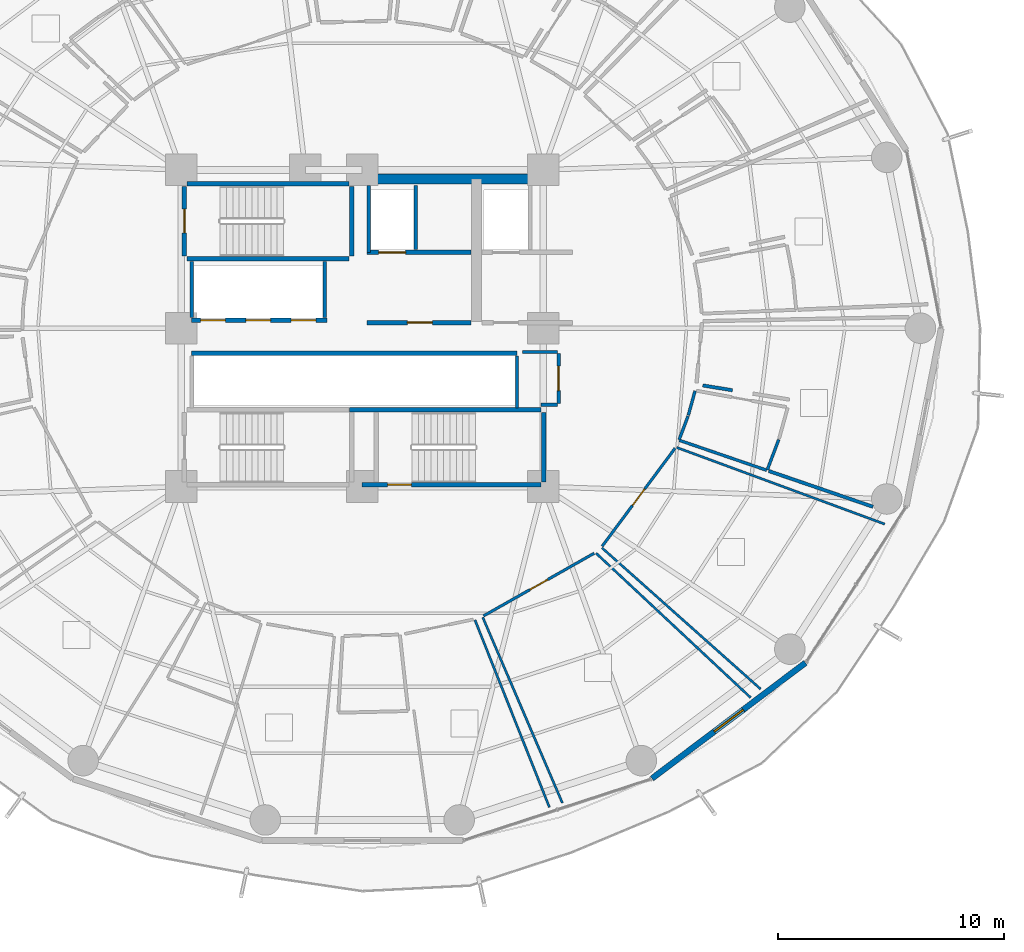
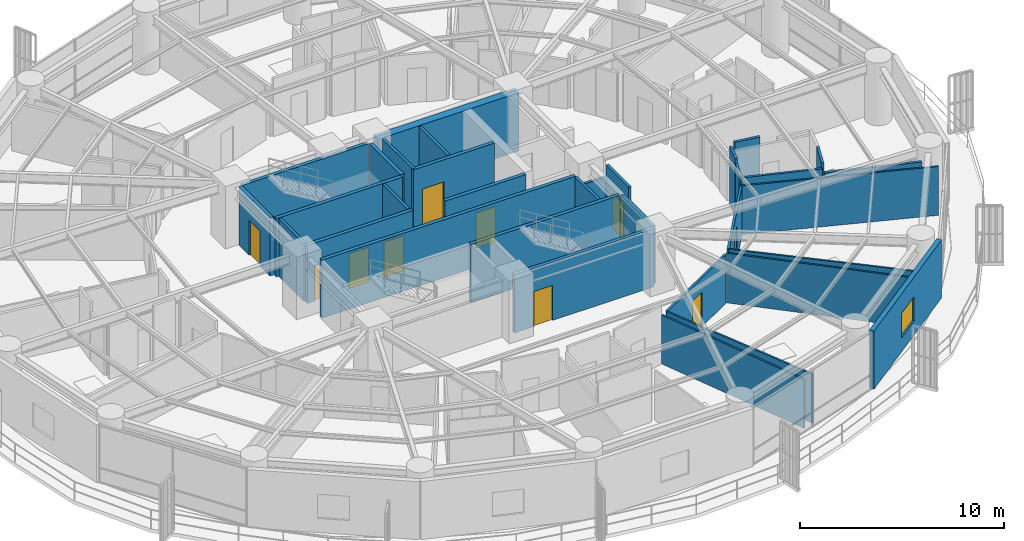
# One storey, part 28 of 35: 34 walls, 10 doors, 1 window, 11 openings.
"""IFC4 building model written with IfcOpenShell, lengths in metres."""

from ifc_helpers import new_model, si_unit, direction, frame, frame_2d, origin, place, context, subcontext, project, spatial, rectangle, extrude, material, layer, layer_set, type_object, element, fill, save


model = new_model("IFC4")

# Units and contexts
model_context = context("Model", 3, precision=1e-05, world=origin(), true_north=direction((0.0, 1.0)))
body_context = subcontext(model_context, "Body", "Model", "MODEL_VIEW")
ifc_project = project(units=[si_unit("LENGTHUNIT", "METRE"), si_unit("AREAUNIT", "SQUARE_METRE"), si_unit("VOLUMEUNIT", "CUBIC_METRE"), si_unit("PLANEANGLEUNIT", "RADIAN"), si_unit("MASSUNIT", "GRAM", prefix="KILO")], contexts=[model_context])

# Site, building, storey
site_placement = place(None, origin())
site = spatial("IfcSite", under=ifc_project, at=site_placement, CompositionType="ELEMENT")
building_placement = place(site_placement, origin())
building = spatial("IfcBuilding", under=site, at=building_placement, Name="Kelanora Arch Commons", CompositionType="ELEMENT")
storey_placement = place(building_placement, frame((0.0, 0.0, 87.60009765625)))
storey = spatial("IfcBuildingStorey", under=building, at=storey_placement, Name="L22", CompositionType="ELEMENT", Elevation=87.60009765625)

# Walls
ifc_material_1 = material(Name="Autoclaved aerated concrete blockwork with fire plaster", Category="masonry")
ifc_layer_1 = layer(ifc_material_1, 0.14990234375)
ifc_layer_set_1 = layer_set([ifc_layer_1], Name="Autoclaved aerated concrete blockwork with fire plaster")
wall_type_1 = type_object("IfcWallType", Name="W-COMP-150", PredefinedType="PARTITIONING", material=ifc_layer_set_1)
wall_1_placement = place(storey_placement, frame((74.280029296875, 61.35009765625, 0.0), z_axis=(0.0, 0.0, 1.0), x_axis=(0.0, 1.0, 0.0)))
element("IfcWall", 1, at=wall_1_placement, inside=storey, type_object=wall_type_1, Name="Firefighting Lift 1 West Shaft Wall L22", PredefinedType="PARTITIONING", context=body_context, shape_type="SweptSolid", body=[
    extrude(rectangle(XDim=2.969970703125, YDim=0.14990234375, at=frame_2d((1.48486328125, 0.0))), origin(), (0.0, 0.0, 1.0), 3.47998046875),
])
wall_2_placement = place(storey_placement, frame((76.360107421875, 61.47998046875, 0.0), z_axis=(0.0, 0.0, 1.0), x_axis=(0.0, 1.0, 0.0)))
element("IfcWall", 2, at=wall_2_placement, inside=storey, type_object=wall_type_1, Name="Firefighting Lift 1 East Shaft Wall L22", PredefinedType="PARTITIONING", context=body_context, shape_type="SweptSolid", body=[
    extrude(rectangle(XDim=2.840087890625, YDim=0.14990234375, at=frame_2d((1.419921875, 0.0))), origin(), (0.0, 0.0, 1.0), 3.47998046875),
])
for number, where, z_axis, x_axis, name in (
    (3, (66.4599609375, 58.47998046875, 0.0), (0.0, 0.0, 1.0), (0.0, 1.0, 0.0), "Low-Rise Lift Bank West Wall L22"),
    (4, (72.340087890625, 58.47998046875, 0.0), (0.0, 0.0, 1.0), (0.0, 1.0, 0.0), "Low-Rise Lift Bank East Wall L22"),
):
    element("IfcWall", number, at=place(storey_placement, frame(where, z_axis=z_axis, x_axis=x_axis)), inside=storey, type_object=wall_type_1, Name=name, PredefinedType="PARTITIONING", context=body_context, shape_type="SweptSolid", body=[
        extrude(rectangle(XDim=2.4599609375, YDim=0.14990234375, at=frame_2d((1.22998046875, 0.0))), origin(), (0.0, 0.0, 1.0), 3.47998046875),
    ])
wall_3_placement = place(storey_placement, frame((80.840087890625, 54.47998046875, 0.0), z_axis=(0.0, 0.0, 1.0), x_axis=(0.0, 1.0, 0.0)))
element("IfcWall", 5, at=wall_3_placement, inside=storey, type_object=wall_type_1, Name="South Lift Bank East Wall L22", PredefinedType="PARTITIONING", context=body_context, shape_type="SweptSolid", body=[
    extrude(rectangle(XDim=2.2900390625, YDim=0.14990234375, at=frame_2d((1.14501953125, 0.0))), origin(), (0.0, 0.0, 1.0), 3.47998046875),
])

# Wall, opening, door
wall_4_placement = place(storey_placement, frame((82.679931640625, 54.679931640625, 0.0), z_axis=(0.0, 0.0, 1.0), x_axis=(0.0, 1.0, 0.0)))
wall_4 = element("IfcWall", 6, at=wall_4_placement, inside=storey, type_object=wall_type_1, Name="Core Housekeeping Store L22 Entry Partition", PredefinedType="PARTITIONING", context=body_context, shape_type="SweptSolid", body=[
    extrude(rectangle(XDim=2.2099609375, YDim=0.14990234375, at=frame_2d((1.10498046875, 0.0))), origin(), (0.0, 0.0, 1.0), 3.47998046875),
])
opening_1_placement = place(wall_4_placement, frame((0.56494140625, 0.0, 0.0)))
opening_1 = element("IfcOpeningElement", 7, at=opening_1_placement, cuts=wall_4, Name="Opening D-PLT1", PredefinedType="OPENING", context=body_context, shape_type="SweptSolid", body=[
    extrude(rectangle(XDim=1.080078125, YDim=2.10009765625, at=frame_2d((0.5400390625, 1.050048828125))), frame((0.0, 0.0849609375, 0.0), z_axis=(0.0, -1.0, 0.0), x_axis=(1.0, 0.0, 0.0)), (0.0, 0.0, 1.0), 0.169921875),
])
ifc_material_2 = material(Name="Galvanised steel plant and riser fire door", Category="steel")
door_type_1 = type_object("IfcDoorType", Name="D-PLT-110", OperationType="NOTDEFINED", PredefinedType="DOOR", material=ifc_material_2)
door_1_placement = place(opening_1_placement, origin())
door_1 = element("IfcDoor", 8, at=door_1_placement, inside=storey, type_object=door_type_1, Name="Core Housekeeping Store L22 Door", OperationType="SINGLE_SWING_RIGHT", OverallHeight=2.10009765625, OverallWidth=1.080078125, PredefinedType="DOOR", context=body_context, shape_type="SweptSolid", body=[
    extrude(rectangle(XDim=1.080078125, YDim=2.10009765625, at=frame_2d((0.5400390625, 1.050048828125))), frame((0.0, 0.02490234375, 0.0), z_axis=(0.0, -1.0, 0.0), x_axis=(1.0, 0.0, 0.0)), (0.0, 0.0, 1.0), 0.050048828125),
])
fill(opening_1, door_1)

# Walls
wall_5_placement = place(storey_placement, frame((81.89990234375, 54.6201171875, 0.0), z_axis=(0.0, 0.0, 1.0), x_axis=(1.0, 0.0, 0.0)))
element("IfcWall", 9, at=wall_5_placement, inside=storey, type_object=wall_type_1, Name="Core Housekeeping Store L22 Enclosure Partition 1", PredefinedType="PARTITIONING", context=body_context, shape_type="SweptSolid", body=[
    extrude(rectangle(XDim=0.739990234375, YDim=0.14990234375, at=frame_2d((0.3701171875, 0.0))), origin(), (0.0, 0.0, 1.0), 2.77490234375),
])
wall_6_placement = place(storey_placement, frame((82.639892578125, 56.949951171875, 0.0), z_axis=(0.0, 0.0, 1.0), x_axis=(-1.0, 0.0, 0.0)))
element("IfcWall", 10, at=wall_6_placement, inside=storey, type_object=wall_type_1, Name="Core Housekeeping Store L22 Enclosure Partition 3", PredefinedType="PARTITIONING", context=body_context, shape_type="SweptSolid", body=[
    extrude(rectangle(XDim=1.5498046875, YDim=0.14990234375, at=frame_2d((0.77490234375, 0.0))), origin(), (0.0, 0.0, 1.0), 2.77490234375),
])
wall_7_placement = place(storey_placement, frame((96.58251953125, 50.103515625, 0.0), z_axis=(0.0, 0.0, 1.0), x_axis=(-0.945793886269, 0.324767493288, 0.0)))
element("IfcWall", 11, at=wall_7_placement, inside=storey, type_object=wall_type_1, Name="Co-Living Studio L22-14 Enclosure Partition 5", PredefinedType="PARTITIONING", context=body_context, shape_type="SweptSolid", body=[
    extrude(rectangle(XDim=4.872802734375, YDim=0.14990234375, at=frame_2d((2.4365234375, 0.0))), origin(), (0.0, 0.0, 1.0), 2.9248046875),
])
wall_8_placement = place(storey_placement, frame((90.369140625, 55.255126953125, 0.0), z_axis=(0.0, 0.0, 1.0), x_axis=(-0.986928715278, 0.161157410501, 0.0)))
element("IfcWall", 12, at=wall_8_placement, inside=storey, type_object=wall_type_1, Name="Co-Living Studio L22-14 Enclosure Partition 7", PredefinedType="PARTITIONING", context=body_context, shape_type="SweptSolid", body=[
    extrude(rectangle(XDim=1.33154296875, YDim=0.14990234375, at=frame_2d((0.665771484375, 0.0))), origin(), (0.0, 0.0, 1.0), 3.47998046875),
])
ifc_material_3 = material(Name="Concrete C60/75", Category="concrete")
ifc_layer_2 = layer(ifc_material_3, 0.449951171875)
ifc_layer_set_2 = layer_set([ifc_layer_2], Name="Concrete C60/75")
wall_type_2 = type_object("IfcWallType", Name="W-CORE-450", PredefinedType="SHEAR", material=ifc_layer_set_2)
wall_9_placement = place(storey_placement, frame((74.0, 64.60009765625, 0.0), z_axis=(0.0, 0.0, 1.0), x_axis=(1.0, 0.0, 0.0)))
element("IfcWall", 13, at=wall_9_placement, inside=storey, type_object=wall_type_2, Name="Core Shear Spine L22-CN-E", PredefinedType="SHEAR", context=body_context, shape_type="SweptSolid", body=[
    extrude(rectangle(XDim=8.0, YDim=0.449951171875, at=frame_2d((4.0, 0.0))), origin(), (0.0, 0.0, 1.0), 3.489990234375),
])

# Wall, opening, window
ifc_material_4 = material(Name="Precast concrete C40/50 with terracotta rainscreen", Category="masonry")
ifc_layer_3 = layer(ifc_material_4, 0.260009765625)
ifc_layer_set_3 = layer_set([ifc_layer_3], Name="Precast concrete C40/50 with terracotta rainscreen")
wall_type_3 = type_object("IfcWallType", Name="W-EXT-TC", PredefinedType="SOLIDWALL", material=ifc_layer_set_3)
wall_10_placement = place(storey_placement, frame((86.81201171875, 38.09033203125, 0.0), z_axis=(0.0, 0.0, 1.0), x_axis=(0.798501507879, 0.601992808857, 0.0)))
wall_10 = element("IfcWall", 14, at=wall_10_placement, inside=storey, type_object=wall_type_3, Name="Terracotta Exterior Wall L22-B15", PredefinedType="SOLIDWALL", context=body_context, shape_type="SweptSolid", body=[
    extrude(rectangle(XDim=8.499267578125, YDim=0.260009765625, at=frame_2d((4.24951171875, 0.0))), origin(), (0.0, 0.0, 1.0), 3.474853515625),
])
opening_2_placement = place(wall_10_placement, frame((3.449951171875, 0.0, 0.85009765625)))
opening_2 = element("IfcOpeningElement", 15, at=opening_2_placement, cuts=wall_10, Name="Opening WN-01", PredefinedType="OPENING", context=body_context, shape_type="SweptSolid", body=[
    extrude(rectangle(XDim=1.60009765625, YDim=1.449951171875, at=frame_2d((0.800048828125, 0.72509765625))), frame((0.0, 0.14013671875, 0.0), z_axis=(0.0, -1.0, 0.0), x_axis=(1.0, 0.0, 0.0)), (0.0, 0.0, 1.0), 0.280029296875),
])
ifc_material_5 = material(Name="Terracotta-anodised aluminium frame with operable low-E glazing", Category="masonry")
window_type = type_object("IfcWindowType", Name="WIN-CL-18", PartitioningType="DOUBLE_PANEL_VERTICAL", PredefinedType="WINDOW", material=ifc_material_5)
window_placement = place(opening_2_placement, origin())
window = element("IfcWindow", 16, at=window_placement, inside=storey, type_object=window_type, Name="Co-Living Operable Window L22-B15", OverallHeight=1.449951171875, OverallWidth=1.60009765625, PartitioningType="SINGLE_PANEL", PredefinedType="WINDOW", context=body_context, shape_type="SweptSolid", body=[
    extrude(rectangle(XDim=1.60009765625, YDim=1.449951171875, at=frame_2d((0.800048828125, 0.72509765625))), frame((0.0, 0.030029296875, 0.0), z_axis=(0.0, -1.0, 0.0), x_axis=(1.0, 0.0, 0.0)), (0.0, 0.0, 1.0), 0.06005859375),
])
fill(opening_2, window)

# Wall, opening, door
ifc_material_6 = material(Name="Concrete C40/50", Category="concrete")
ifc_layer_4 = layer(ifc_material_6, 0.199951171875)
ifc_layer_set_4 = layer_set([ifc_layer_4], Name="Concrete C40/50")
wall_type_4 = type_object("IfcWallType", Name="W-FFL-200", PredefinedType="SOLIDWALL", material=ifc_layer_set_4)
wall_11_placement = place(storey_placement, frame((74.199951171875, 61.35009765625, 0.0), z_axis=(0.0, 0.0, 1.0), x_axis=(1.0, 0.0, 0.0)))
wall_11 = element("IfcWall", 17, at=wall_11_placement, inside=storey, type_object=wall_type_4, Name="Firefighting Lift 1 Shaft Front L22", PredefinedType="SOLIDWALL", context=body_context, shape_type="SweptSolid", body=[
    extrude(rectangle(XDim=4.60009765625, YDim=0.199951171875, at=frame_2d((2.300048828125, 0.0))), origin(), (0.0, 0.0, 1.0), 3.47998046875),
])
opening_3_placement = place(wall_11_placement, frame((0.52001953125, 0.0, 0.0)))
opening_3 = element("IfcOpeningElement", 18, at=opening_3_placement, cuts=wall_11, Name="Opening LD-FF", PredefinedType="OPENING", context=body_context, shape_type="SweptSolid", body=[
    extrude(rectangle(XDim=1.199951171875, YDim=2.14990234375, at=frame_2d((0.60009765625, 1.074951171875))), frame((0.0, 0.10986328125, 0.0), z_axis=(0.0, -1.0, 0.0), x_axis=(1.0, 0.0, 0.0)), (0.0, 0.0, 1.0), 0.219970703125),
])
ifc_material_7 = material(Name="Fire-rated firefighters lift sliding landing door")
door_type_2 = type_object("IfcDoorType", Name="D-LIFT-FF", OperationType="NOTDEFINED", PredefinedType="DOOR", material=ifc_material_7)
door_2_placement = place(opening_3_placement, origin())
door_2 = element("IfcDoor", 19, at=door_2_placement, inside=storey, type_object=door_type_2, Name="Firefighting Lift LF-FF1 Landing Door L22", OperationType="DOUBLE_DOOR_SLIDING", OverallHeight=2.14990234375, OverallWidth=1.199951171875, PredefinedType="DOOR", context=body_context, shape_type="SweptSolid", body=[
    extrude(rectangle(XDim=1.199951171875, YDim=2.14990234375, at=frame_2d((0.60009765625, 1.074951171875))), frame((0.0, 0.02490234375, 0.0), z_axis=(0.0, -1.0, 0.0), x_axis=(1.0, 0.0, 0.0)), (0.0, 0.0, 1.0), 0.050048828125),
])
fill(opening_3, door_2)

wall_12_placement = place(storey_placement, frame((74.199951171875, 58.25, 0.0), z_axis=(0.0, 0.0, 1.0), x_axis=(1.0, 0.0, 0.0)))
wall_12 = element("IfcWall", 20, at=wall_12_placement, inside=storey, type_object=wall_type_4, Name="Firefighting Lobby 1 Enclosure Wall L22", PredefinedType="SOLIDWALL", context=body_context, shape_type="SweptSolid", body=[
    extrude(rectangle(XDim=4.60009765625, YDim=0.199951171875, at=frame_2d((2.300048828125, 0.0))), origin(), (0.0, 0.0, 1.0), 3.47998046875),
])
opening_4_placement = place(wall_12_placement, frame((1.800048828125, 0.0, 0.0)))
opening_4 = element("IfcOpeningElement", 21, at=opening_4_placement, cuts=wall_12, Name="Opening D-FFL1", PredefinedType="OPENING", context=body_context, shape_type="SweptSolid", body=[
    extrude(rectangle(XDim=1.10009765625, YDim=2.10009765625, at=frame_2d((0.550048828125, 1.050048828125))), frame((0.0, 0.10986328125, 0.0), z_axis=(0.0, -1.0, 0.0), x_axis=(1.0, 0.0, 0.0)), (0.0, 0.0, 1.0), 0.219970703125),
])
ifc_material_8 = material(Name="Smoke-sealed firefighting lobby fire door")
door_type_3 = type_object("IfcDoorType", Name="D-FFL-110", OperationType="NOTDEFINED", PredefinedType="DOOR", material=ifc_material_8)
door_3_placement = place(opening_4_placement, frame((1.10009765625, 0.0, 0.0), z_axis=(0.0, 0.0, 1.0), x_axis=(-1.0, 0.0, 0.0)))
door_3 = element("IfcDoor", 22, at=door_3_placement, inside=storey, type_object=door_type_3, Name="Firefighting Lobby 1 Door L22", OperationType="SINGLE_SWING_LEFT", OverallHeight=2.10009765625, OverallWidth=1.10009765625, PredefinedType="DOOR", context=body_context, shape_type="SweptSolid", body=[
    extrude(rectangle(XDim=1.10009765625, YDim=2.10009765625, at=frame_2d((0.550048828125, 1.050048828125))), frame((0.0, 0.02490234375, 0.0), z_axis=(0.0, -1.0, 0.0), x_axis=(1.0, 0.0, 0.0)), (0.0, 0.0, 1.0), 0.050048828125),
])
fill(opening_4, door_3)

# Wall, openings, doors
wall_13_placement = place(storey_placement, frame((66.449951171875, 58.35009765625, 0.0), z_axis=(0.0, 0.0, 1.0), x_axis=(1.0, 0.0, 0.0)))
wall_13 = element("IfcWall", 23, at=wall_13_placement, inside=storey, type_object=wall_type_4, Name="Low-Rise Passenger Lift Shaft Front L22", PredefinedType="SOLIDWALL", context=body_context, shape_type="SweptSolid", body=[
    extrude(rectangle(XDim=6.0, YDim=0.199951171875, at=frame_2d((3.0, 0.0))), origin(), (0.0, 0.0, 1.0), 3.47998046875),
])
opening_5_placement = place(wall_13_placement, frame((0.39990234375, 0.0, 0.0)))
opening_5 = element("IfcOpeningElement", 24, at=opening_5_placement, cuts=wall_13, Name="Opening LD-01", PredefinedType="OPENING", context=body_context, shape_type="SweptSolid", body=[
    extrude(rectangle(XDim=1.10009765625, YDim=2.10009765625, at=frame_2d((0.550048828125, 1.050048828125))), frame((0.0, 0.10986328125, 0.0), z_axis=(0.0, -1.0, 0.0), x_axis=(1.0, 0.0, 0.0)), (0.0, 0.0, 1.0), 0.219970703125),
])
opening_6_placement = place(wall_13_placement, frame((2.39990234375, 0.0, 0.0)))
opening_6 = element("IfcOpeningElement", 25, at=opening_6_placement, cuts=wall_13, Name="Opening LD-01", PredefinedType="OPENING", context=body_context, shape_type="SweptSolid", body=[
    extrude(rectangle(XDim=1.10009765625, YDim=2.10009765625, at=frame_2d((0.550048828125, 1.050048828125))), frame((0.0, 0.10986328125, 0.0), z_axis=(0.0, -1.0, 0.0), x_axis=(1.0, 0.0, 0.0)), (0.0, 0.0, 1.0), 0.219970703125),
])
opening_7_placement = place(wall_13_placement, frame((4.39990234375, 0.0, 0.0)))
opening_7 = element("IfcOpeningElement", 26, at=opening_7_placement, cuts=wall_13, Name="Opening LD-01", PredefinedType="OPENING", context=body_context, shape_type="SweptSolid", body=[
    extrude(rectangle(XDim=1.10009765625, YDim=2.10009765625, at=frame_2d((0.550048828125, 1.050048828125))), frame((0.0, 0.10986328125, 0.0), z_axis=(0.0, -1.0, 0.0), x_axis=(1.0, 0.0, 0.0)), (0.0, 0.0, 1.0), 0.219970703125),
])
ifc_material_9 = material(Name="Stainless steel passenger lift sliding landing door", Category="steel")
door_type_4 = type_object("IfcDoorType", Name="D-LIFT-110", OperationType="NOTDEFINED", PredefinedType="DOOR", material=ifc_material_9)
door_4_placement = place(opening_5_placement, origin())
door_4 = element("IfcDoor", 27, at=door_4_placement, inside=storey, type_object=door_type_4, Name="Passenger Lift LF-P1 Landing Door L22", OperationType="DOUBLE_DOOR_SLIDING", OverallHeight=2.10009765625, OverallWidth=1.10009765625, PredefinedType="DOOR", context=body_context, shape_type="SweptSolid", body=[
    extrude(rectangle(XDim=1.10009765625, YDim=2.10009765625, at=frame_2d((0.550048828125, 1.050048828125))), frame((0.0, 0.02490234375, 0.0), z_axis=(0.0, -1.0, 0.0), x_axis=(1.0, 0.0, 0.0)), (0.0, 0.0, 1.0), 0.050048828125),
])
fill(opening_5, door_4)
door_5_placement = place(opening_6_placement, origin())
door_5 = element("IfcDoor", 28, at=door_5_placement, inside=storey, type_object=door_type_4, Name="Passenger Lift LF-P2 Landing Door L22", OperationType="DOUBLE_DOOR_SLIDING", OverallHeight=2.10009765625, OverallWidth=1.10009765625, PredefinedType="DOOR", context=body_context, shape_type="SweptSolid", body=[
    extrude(rectangle(XDim=1.10009765625, YDim=2.10009765625, at=frame_2d((0.550048828125, 1.050048828125))), frame((0.0, 0.02490234375, 0.0), z_axis=(0.0, -1.0, 0.0), x_axis=(1.0, 0.0, 0.0)), (0.0, 0.0, 1.0), 0.050048828125),
])
fill(opening_6, door_5)
door_6_placement = place(opening_7_placement, origin())
door_6 = element("IfcDoor", 29, at=door_6_placement, inside=storey, type_object=door_type_4, Name="Passenger Lift LF-P3 Landing Door L22", OperationType="DOUBLE_DOOR_SLIDING", OverallHeight=2.10009765625, OverallWidth=1.10009765625, PredefinedType="DOOR", context=body_context, shape_type="SweptSolid", body=[
    extrude(rectangle(XDim=1.10009765625, YDim=2.10009765625, at=frame_2d((0.550048828125, 1.050048828125))), frame((0.0, 0.02490234375, 0.0), z_axis=(0.0, -1.0, 0.0), x_axis=(1.0, 0.0, 0.0)), (0.0, 0.0, 1.0), 0.050048828125),
])
fill(opening_7, door_6)

# Walls
wall_14_placement = place(storey_placement, frame((66.449951171875, 56.89990234375, 0.0), z_axis=(0.0, 0.0, 1.0), x_axis=(1.0, 0.0, 0.0)))
element("IfcWall", 30, at=wall_14_placement, inside=storey, type_object=wall_type_4, Name="Mid/High/Express Lift Shaft Front L22", PredefinedType="SOLIDWALL", context=body_context, shape_type="SweptSolid", body=[
    extrude(rectangle(XDim=14.400146484375, YDim=0.199951171875, at=frame_2d((7.2001953125, 0.0))), origin(), (0.0, 0.0, 1.0), 3.47998046875),
])
ifc_material_10 = material(Name="Lightweight fire-rated acoustic stud partition")
ifc_layer_5 = layer(ifc_material_10, 0.10009765625)
ifc_layer_set_5 = layer_set([ifc_layer_5], Name="Lightweight fire-rated acoustic stud partition")
wall_type_5 = type_object("IfcWallType", Name="W-PART-100", PredefinedType="PARTITIONING", material=ifc_layer_set_5)
wall_15_placement = place(storey_placement, frame((78.98291015625, 45.098876953125, 0.0), z_axis=(0.0, 0.0, 1.0), x_axis=(0.369438475108, -0.929255192673, 0.0)))
element("IfcWall", 31, at=wall_15_placement, inside=storey, type_object=wall_type_5, Name="Tutorial Study Alcove L22-11 Enclosure Partition 2", PredefinedType="PARTITIONING", context=body_context, shape_type="SweptSolid", body=[
    extrude(rectangle(XDim=8.908935546875, YDim=0.10009765625, at=frame_2d((4.45458984375, 0.0))), origin(), (0.0, 0.0, 1.0), 2.9248046875),
])
wall_16_placement = place(storey_placement, frame((84.337158203125, 48.052734375, 0.0), z_axis=(0.0, 0.0, 1.0), x_axis=(0.730663657097, -0.682737592489, 0.0)))
element("IfcWall", 32, at=wall_16_placement, inside=storey, type_object=wall_type_5, Name="Quiet Seminar Study Room L22-12 Enclosure Partition 2", PredefinedType="PARTITIONING", context=body_context, shape_type="SweptSolid", body=[
    extrude(rectangle(XDim=9.352783203125, YDim=0.10009765625, at=frame_2d((4.67626953125, 0.0))), origin(), (0.0, 0.0, 1.0), 2.974853515625),
])
wall_17_placement = place(storey_placement, frame((82.84912109375, 37.0078125, 0.0), z_axis=(0.0, 0.0, 1.0), x_axis=(-0.394269081074, 0.918995044442, 0.0)))
element("IfcWall", 33, at=wall_17_placement, inside=storey, type_object=wall_type_5, Name="Quiet Seminar Study Room L22-12 Enclosure Partition 4", PredefinedType="PARTITIONING", context=body_context, shape_type="SweptSolid", body=[
    extrude(rectangle(XDim=8.928466796875, YDim=0.10009765625, at=frame_2d((4.46435546875, 0.0))), origin(), (0.0, 0.0, 1.0), 2.9248046875),
])
wall_18_placement = place(storey_placement, frame((87.903564453125, 52.726318359375, 0.0), z_axis=(0.0, 0.0, 1.0), x_axis=(0.938361829853, -0.345654562063, 0.0)))
element("IfcWall", 34, at=wall_18_placement, inside=storey, type_object=wall_type_5, Name="Quiet Seminar Study Room L22-13 Enclosure Partition 2", PredefinedType="PARTITIONING", context=body_context, shape_type="SweptSolid", body=[
    extrude(rectangle(XDim=9.800048828125, YDim=0.10009765625, at=frame_2d((4.89990234375, 0.0))), origin(), (0.0, 0.0, 1.0), 2.9248046875),
])
wall_19_placement = place(storey_placement, frame((91.611083984375, 42.047607421875, 0.0), z_axis=(0.0, 0.0, 1.0), x_axis=(-0.747021589751, 0.664799777713, 0.0)))
element("IfcWall", 35, at=wall_19_placement, inside=storey, type_object=wall_type_5, Name="Quiet Seminar Study Room L22-13 Enclosure Partition 4", PredefinedType="PARTITIONING", context=body_context, shape_type="SweptSolid", body=[
    extrude(rectangle(XDim=9.383056640625, YDim=0.10009765625, at=frame_2d((4.69140625, 0.0))), origin(), (0.0, 0.0, 1.0), 2.974853515625),
])

# Wall, opening, door
ifc_material_11 = material(Name="Acoustic twin-stud fire-rated gypsum partition")
ifc_layer_6 = layer(ifc_material_11, 0.1201171875)
ifc_layer_set_6 = layer_set([ifc_layer_6], Name="Acoustic twin-stud fire-rated gypsum partition")
wall_type_6 = type_object("IfcWallType", Name="W-PART-120", PredefinedType="PARTITIONING", material=ifc_layer_set_6)
wall_20_placement = place(storey_placement, frame((79.365234375, 45.279541015625, 0.0), z_axis=(0.0, 0.0, 1.0), x_axis=(0.870068136537, 0.49293147372, 0.0)))
wall_20 = element("IfcWall", 36, at=wall_20_placement, inside=storey, type_object=wall_type_6, Name="Quiet Seminar Study Room L22-12 Entry Partition", PredefinedType="PARTITIONING", context=body_context, shape_type="SweptSolid", body=[
    extrude(rectangle(XDim=5.620849609375, YDim=0.1201171875, at=frame_2d((2.810546875, 0.0))), origin(), (0.0, 0.0, 1.0), 2.9248046875),
])
opening_8_placement = place(wall_20_placement, frame((2.360107421875, 0.0, 0.0)))
opening_8 = element("IfcOpeningElement", 37, at=opening_8_placement, cuts=wall_20, Name="Opening D-RM1", PredefinedType="OPENING", context=body_context, shape_type="SweptSolid", body=[
    extrude(rectangle(XDim=0.89990234375, YDim=2.080078125, at=frame_2d((0.449951171875, 1.0400390625))), frame((0.0, 0.070068359375, 0.0), z_axis=(0.0, -1.0, 0.0), x_axis=(1.0, 0.0, 0.0)), (0.0, 0.0, 1.0), 0.14013671875),
])
ifc_material_12 = material(Name="Acoustic fire-rated timber study and lounge door", Category="wood")
door_type_5 = type_object("IfcDoorType", Name="D-ROOM-90", OperationType="NOTDEFINED", PredefinedType="DOOR", material=ifc_material_12)
door_7_placement = place(opening_8_placement, origin())
door_7 = element("IfcDoor", 38, at=door_7_placement, inside=storey, type_object=door_type_5, Name="Quiet Seminar Study Room L22-12 Door", OperationType="SINGLE_SWING_LEFT", OverallHeight=2.080078125, OverallWidth=0.89990234375, PredefinedType="DOOR", context=body_context, shape_type="SweptSolid", body=[
    extrude(rectangle(XDim=0.89990234375, YDim=2.080078125, at=frame_2d((0.449951171875, 1.0400390625))), frame((0.0, 0.02490234375, 0.0), z_axis=(0.0, -1.0, 0.0), x_axis=(1.0, 0.0, 0.0)), (0.0, 0.0, 1.0), 0.050048828125),
])
fill(opening_8, door_7)

wall_21_placement = place(storey_placement, frame((84.60791015625, 48.360107421875, 0.0), z_axis=(0.0, 0.0, 1.0), x_axis=(0.596833425992, 0.802365167251, 0.0)))
wall_21 = element("IfcWall", 39, at=wall_21_placement, inside=storey, type_object=wall_type_6, Name="Quiet Seminar Study Room L22-13 Entry Partition", PredefinedType="PARTITIONING", context=body_context, shape_type="SweptSolid", body=[
    extrude(rectangle(XDim=5.398681640625, YDim=0.1201171875, at=frame_2d((2.69921875, 0.0))), origin(), (0.0, 0.0, 1.0), 2.9248046875),
])
opening_9_placement = place(wall_21_placement, frame((2.2490234375, 0.0, 0.0)))
opening_9 = element("IfcOpeningElement", 40, at=opening_9_placement, cuts=wall_21, Name="Opening D-RM1", PredefinedType="OPENING", context=body_context, shape_type="SweptSolid", body=[
    extrude(rectangle(XDim=0.89990234375, YDim=2.080078125, at=frame_2d((0.449951171875, 1.0400390625))), frame((0.0, 0.070068359375, 0.0), z_axis=(0.0, -1.0, 0.0), x_axis=(1.0, 0.0, 0.0)), (0.0, 0.0, 1.0), 0.14013671875),
])
door_8_placement = place(opening_9_placement, origin())
door_8 = element("IfcDoor", 41, at=door_8_placement, inside=storey, type_object=door_type_5, Name="Quiet Seminar Study Room L22-13 Door", OperationType="SINGLE_SWING_RIGHT", OverallHeight=2.080078125, OverallWidth=0.89990234375, PredefinedType="DOOR", context=body_context, shape_type="SweptSolid", body=[
    extrude(rectangle(XDim=0.89990234375, YDim=2.080078125, at=frame_2d((0.449951171875, 1.0400390625))), frame((0.0, 0.02490234375, 0.0), z_axis=(0.0, -1.0, 0.0), x_axis=(1.0, 0.0, 0.0)), (0.0, 0.0, 1.0), 0.050048828125),
])
fill(opening_9, door_8)

# Walls
ifc_layer_7 = layer(ifc_material_6, 0.199951171875)
ifc_layer_set_7 = layer_set([ifc_layer_7], Name="Concrete C40/50")
wall_type_7 = type_object("IfcWallType", Name="W-STAIR-200", PredefinedType="SHEAR", material=ifc_layer_set_7)
wall_22_placement = place(storey_placement, frame((66.260009765625, 61.080078125, 0.0), z_axis=(0.0, 0.0, 1.0), x_axis=(1.0, 0.0, 0.0)))
element("IfcWall", 42, at=wall_22_placement, inside=storey, type_object=wall_type_7, Name="Stair ST-T1 Shaft Wall S L22", PredefinedType="SHEAR", context=body_context, shape_type="SweptSolid", body=[
    extrude(rectangle(XDim=7.159912109375, YDim=0.199951171875, at=frame_2d((3.580078125, 0.0))), origin(), (0.0, 0.0, 1.0), 3.489990234375),
])
wall_23_placement = place(storey_placement, frame((73.5400390625, 61.199951171875, 0.0), z_axis=(0.0, 0.0, 1.0), x_axis=(0.0, 1.0, 0.0)))
element("IfcWall", 43, at=wall_23_placement, inside=storey, type_object=wall_type_7, Name="Stair ST-T1 Shaft Wall E L22", PredefinedType="SHEAR", context=body_context, shape_type="SweptSolid", body=[
    extrude(rectangle(XDim=3.070068359375, YDim=0.199951171875, at=frame_2d((1.53515625, 0.0))), origin(), (0.0, 0.0, 1.0), 3.489990234375),
])
wall_24_placement = place(storey_placement, frame((73.419921875, 64.389892578125, 0.0), z_axis=(0.0, 0.0, 1.0), x_axis=(-1.0, 0.0, 0.0)))
element("IfcWall", 44, at=wall_24_placement, inside=storey, type_object=wall_type_7, Name="Stair ST-T1 Shaft Wall N L22", PredefinedType="SHEAR", context=body_context, shape_type="SweptSolid", body=[
    extrude(rectangle(XDim=7.159912109375, YDim=0.199951171875, at=frame_2d((3.580078125, 0.0))), origin(), (0.0, 0.0, 1.0), 3.489990234375),
])

# Wall, opening, door
wall_25_placement = place(storey_placement, frame((66.139892578125, 64.27001953125, 0.0), z_axis=(0.0, 0.0, 1.0), x_axis=(0.0, -1.0, 0.0)))
wall_25 = element("IfcWall", 45, at=wall_25_placement, inside=storey, type_object=wall_type_7, Name="Stair ST-T1 Shaft Wall W L22", PredefinedType="SHEAR", context=body_context, shape_type="SweptSolid", body=[
    extrude(rectangle(XDim=3.070068359375, YDim=0.199951171875, at=frame_2d((1.53515625, 0.0))), origin(), (0.0, 0.0, 1.0), 3.489990234375),
])
opening_10_placement = place(wall_25_placement, frame((1.010009765625, 0.0, 0.0)))
opening_10 = element("IfcOpeningElement", 46, at=opening_10_placement, cuts=wall_25, Name="Opening D-ST1", PredefinedType="OPENING", context=body_context, shape_type="SweptSolid", body=[
    extrude(rectangle(XDim=1.050048828125, YDim=2.10009765625, at=frame_2d((0.52490234375, 1.050048828125))), frame((0.0, 0.10986328125, 0.0), z_axis=(0.0, -1.0, 0.0), x_axis=(1.0, 0.0, 0.0)), (0.0, 0.0, 1.0), 0.219970703125),
])
ifc_material_13 = material(Name="Steel fire-rated stairwell escape door", Category="steel")
door_type_6 = type_object("IfcDoorType", Name="D-STAIR-110", OperationType="NOTDEFINED", PredefinedType="DOOR", material=ifc_material_13)
door_9_placement = place(opening_10_placement, origin())
door_9 = element("IfcDoor", 47, at=door_9_placement, inside=storey, type_object=door_type_6, Name="Stair ST-T1 Escape Door L22", OperationType="SINGLE_SWING_LEFT", OverallHeight=2.10009765625, OverallWidth=1.050048828125, PredefinedType="DOOR", context=body_context, shape_type="SweptSolid", body=[
    extrude(rectangle(XDim=1.050048828125, YDim=2.10009765625, at=frame_2d((0.52490234375, 1.050048828125))), frame((0.0, 0.02490234375, 0.0), z_axis=(0.0, -1.0, 0.0), x_axis=(1.0, 0.0, 0.0)), (0.0, 0.0, 1.0), 0.050048828125),
])
fill(opening_10, door_9)

wall_26_placement = place(storey_placement, frame((74.0, 51.080078125, 0.0), z_axis=(0.0, 0.0, 1.0), x_axis=(1.0, 0.0, 0.0)))
wall_26 = element("IfcWall", 48, at=wall_26_placement, inside=storey, type_object=wall_type_7, Name="Stair ST-T2 Shaft Wall S L22", PredefinedType="SHEAR", context=body_context, shape_type="SweptSolid", body=[
    extrude(rectangle(XDim=7.89990234375, YDim=0.199951171875, at=frame_2d((3.949951171875, 0.0))), origin(), (0.0, 0.0, 1.0), 3.489990234375),
])
opening_11_placement = place(wall_26_placement, frame((1.1201171875, 0.0, 0.0)))
opening_11 = element("IfcOpeningElement", 49, at=opening_11_placement, cuts=wall_26, Name="Opening D-ST1", PredefinedType="OPENING", context=body_context, shape_type="SweptSolid", body=[
    extrude(rectangle(XDim=1.050048828125, YDim=2.10009765625, at=frame_2d((0.52490234375, 1.050048828125))), frame((0.0, 0.10986328125, 0.0), z_axis=(0.0, -1.0, 0.0), x_axis=(1.0, 0.0, 0.0)), (0.0, 0.0, 1.0), 0.219970703125),
])
door_10_placement = place(opening_11_placement, origin())
door_10 = element("IfcDoor", 50, at=door_10_placement, inside=storey, type_object=door_type_6, Name="Stair ST-T2 Escape Door L22", OperationType="SINGLE_SWING_LEFT", OverallHeight=2.10009765625, OverallWidth=1.050048828125, PredefinedType="DOOR", context=body_context, shape_type="SweptSolid", body=[
    extrude(rectangle(XDim=1.050048828125, YDim=2.10009765625, at=frame_2d((0.52490234375, 1.050048828125))), frame((0.0, 0.02490234375, 0.0), z_axis=(0.0, -1.0, 0.0), x_axis=(1.0, 0.0, 0.0)), (0.0, 0.0, 1.0), 0.050048828125),
])
fill(opening_11, door_10)

# Walls
wall_27_placement = place(storey_placement, frame((82.02001953125, 51.199951171875, 0.0), z_axis=(0.0, 0.0, 1.0), x_axis=(0.0, 1.0, 0.0)))
element("IfcWall", 51, at=wall_27_placement, inside=storey, type_object=wall_type_7, Name="Stair ST-T2 Shaft Wall E L22", PredefinedType="SHEAR", context=body_context, shape_type="SweptSolid", body=[
    extrude(rectangle(XDim=3.070068359375, YDim=0.199951171875, at=frame_2d((1.53515625, 0.0))), origin(), (0.0, 0.0, 1.0), 3.489990234375),
])
wall_28_placement = place(storey_placement, frame((81.89990234375, 54.389892578125, 0.0), z_axis=(0.0, 0.0, 1.0), x_axis=(-1.0, 0.0, 0.0)))
element("IfcWall", 52, at=wall_28_placement, inside=storey, type_object=wall_type_7, Name="Stair ST-T2 Shaft Wall N L22", PredefinedType="SHEAR", context=body_context, shape_type="SweptSolid", body=[
    extrude(rectangle(XDim=8.4599609375, YDim=0.199951171875, at=frame_2d((4.22998046875, 0.0))), origin(), (0.0, 0.0, 1.0), 3.489990234375),
])
ifc_material_14 = material(Name="Moisture-resistant fire-rated cement-board plumbing wall")
ifc_layer_8 = layer(ifc_material_14, 0.1298828125)
ifc_layer_set_8 = layer_set([ifc_layer_8], Name="Moisture-resistant fire-rated cement-board plumbing wall")
wall_type_8 = type_object("IfcWallType", Name="W-WET-120", PredefinedType="PLUMBINGWALL", material=ifc_layer_set_8)
wall_29_placement = place(storey_placement, frame((88.010009765625, 53.067626953125, 0.0), z_axis=(0.0, 0.0, 1.0), x_axis=(0.353582849957, 0.93540321157, 0.0)))
element("IfcWall", 53, at=wall_29_placement, inside=storey, type_object=wall_type_8, Name="En-Suite Shower WC L22-14 Enclosure Partition 1", PredefinedType="PLUMBINGWALL", context=body_context, shape_type="SweptSolid", body=[
    extrude(rectangle(XDim=1.119873046875, YDim=0.1298828125, at=frame_2d((0.56005859375, 0.0))), origin(), (0.0, 0.0, 1.0), 3.23486328125),
])
wall_30_placement = place(storey_placement, frame((88.418212890625, 54.1533203125, 0.0), z_axis=(0.0, 0.0, 1.0), x_axis=(0.266139738922, 0.963934458024, 0.0)))
element("IfcWall", 54, at=wall_30_placement, inside=storey, type_object=wall_type_8, Name="En-Suite Shower WC L22-14 Enclosure Partition 2", PredefinedType="PLUMBINGWALL", context=body_context, shape_type="SweptSolid", body=[
    extrude(rectangle(XDim=1.11376953125, YDim=0.1298828125, at=frame_2d((0.556884765625, 0.0))), origin(), (0.0, 0.0, 1.0), 3.47998046875),
])
wall_31_placement = place(storey_placement, frame((92.414794921875, 53.072265625, 0.0), z_axis=(0.0, 0.0, 1.0), x_axis=(-0.354833873896, -0.934929367351, 0.0)))
element("IfcWall", 55, at=wall_31_placement, inside=storey, type_object=wall_type_8, Name="En-Suite Shower WC L22-14 Enclosure Partition 5", PredefinedType="PLUMBINGWALL", context=body_context, shape_type="SweptSolid", body=[
    extrude(rectangle(XDim=1.433837890625, YDim=0.1298828125, at=frame_2d((0.716796875, 0.0))), origin(), (0.0, 0.0, 1.0), 3.47998046875),
])
wall_32_placement = place(storey_placement, frame((91.880126953125, 51.719482421875, 0.0), z_axis=(0.0, 0.0, 1.0), x_axis=(-0.945930729077, 0.324368703466, 0.0)))
element("IfcWall", 56, at=wall_32_placement, inside=storey, type_object=wall_type_8, Name="En-Suite Shower WC L22-14 Enclosure Partition 6", PredefinedType="PLUMBINGWALL", context=body_context, shape_type="SweptSolid", body=[
    extrude(rectangle(XDim=4.07861328125, YDim=0.1298828125, at=frame_2d((2.039306640625, 0.0))), origin(), (0.0, 0.0, 1.0), 3.1748046875),
])

save(model, "model.ifc")
